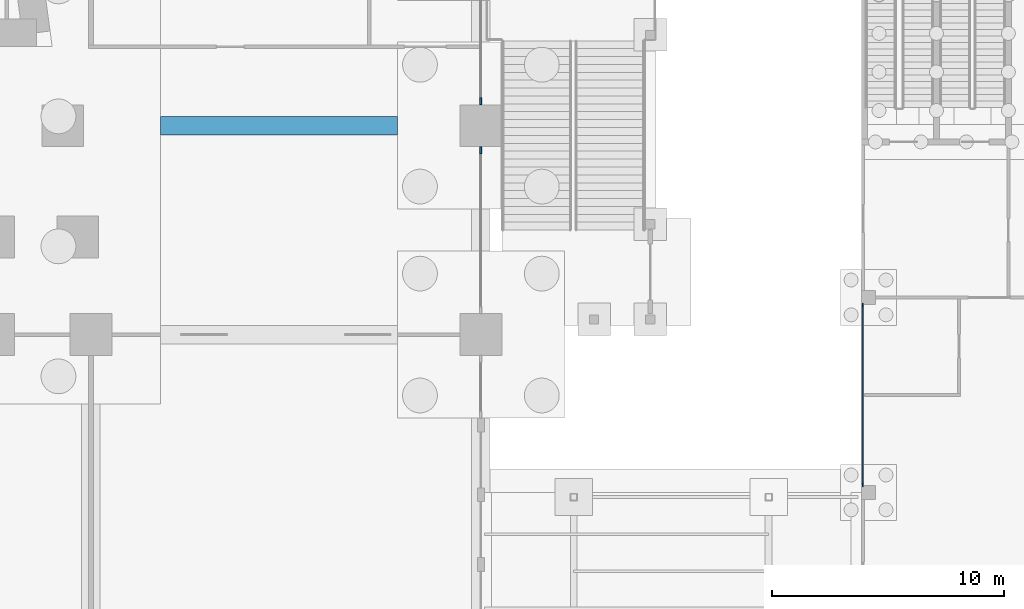
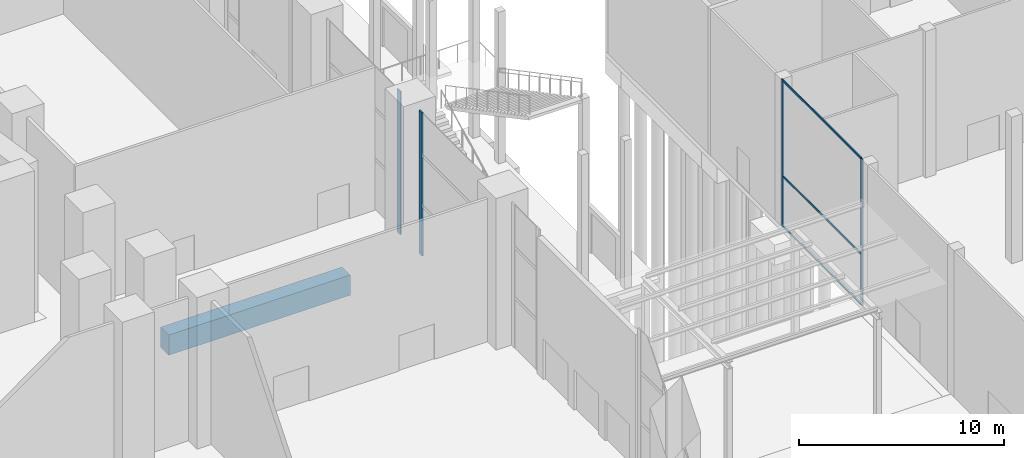
# One storey, part 23 of 72: 7 members, 1 beam, 3 elements without a shape of their own.
"""IFC4 building model written with IfcOpenShell, lengths in metres."""

from ifc_helpers import new_model, si_unit, direction, frame, origin, origin_2d, place, context, subcontext, project, spatial, rectangle, extrude, material, material_profile, profile_set, type_object, element, aggregate, save


model = new_model("IFC4")

# Units and contexts
model_context = context("Model", 3, precision=1e-05, world=origin(), true_north=direction((0.0, 1.0)))
body_context = subcontext(model_context, "Body", "Model", "MODEL_VIEW")
ifc_project = project(units=[si_unit("LENGTHUNIT", "METRE"), si_unit("AREAUNIT", "SQUARE_METRE"), si_unit("VOLUMEUNIT", "CUBIC_METRE"), si_unit("PLANEANGLEUNIT", "RADIAN"), si_unit("MASSUNIT", "GRAM", prefix="KILO")], contexts=[model_context])

# Site, building, storey
site_placement = place(None, origin())
site = spatial("IfcSite", under=ifc_project, at=site_placement, CompositionType="ELEMENT")
building_placement = place(site_placement, origin())
building = spatial("IfcBuilding", under=site, at=building_placement, Name="Candeia Pilgrim Tower and Theatre", CompositionType="ELEMENT")
storey_placement = place(building_placement, origin())
storey = spatial("IfcBuildingStorey", under=building, at=storey_placement, Name="L00", CompositionType="ELEMENT", Elevation=0.0)

# Curtain wall, member
ifc_material_1 = material(Name="Aluminium framed podium glazing", Category="aluminium")
curtain_wall_type_1 = type_object("IfcCurtainWallType", Name="CW-P curtain wall", PredefinedType="NOTDEFINED", material=ifc_material_1)
curtain_wall_1_placement = place(storey_placement, origin())
curtain_wall_1 = element("IfcCurtainWall", 1, at=curtain_wall_1_placement, inside=storey, type_object=curtain_wall_type_1, Name="Curtain wall CW-P L00.230", PredefinedType="NOTDEFINED")
ifc_material_2 = material(Name="Anodised aluminium", Category="aluminium")
ifc_material_profile_1 = material_profile(ifc_material_2, rectangle(XDim=0.080078125, YDim=0.300048828125, at=origin_2d()))
ifc_profile_set_1 = profile_set([ifc_material_profile_1], Name="Anodised aluminium")
member_type_1 = type_object("IfcMemberType", Name="CW-P mullion 80x300", PredefinedType="MULLION", material=ifc_profile_set_1)
member_1_placement = place(storey_placement, frame((159.60009765625, 108.050048828125, 0.0), z_axis=(0.0, 0.0, 1.0), x_axis=(1.0, 0.0, 0.0)))
member_1 = element("IfcMember", 2, at=member_1_placement, type_object=member_type_1, Name="CW-P mullion 2", PredefinedType="MULLION", context=body_context, shape_type="SweptSolid", body=[
    extrude(rectangle(XDim=0.080078125, YDim=0.300048828125, at=origin_2d()), origin(), (0.0, 0.0, 1.0), 8.5),
])
aggregate(curtain_wall_1, [member_1])

curtain_wall_2_placement = place(storey_placement, origin())
curtain_wall_2 = element("IfcCurtainWall", 3, at=curtain_wall_2_placement, inside=storey, type_object=curtain_wall_type_1, Name="Curtain wall CW-P L00.240", PredefinedType="NOTDEFINED")
member_2_placement = place(storey_placement, frame((159.60009765625, 105.949951171875, 0.0), z_axis=(0.0, 0.0, 1.0), x_axis=(1.0, 0.0, 0.0)))
member_2 = element("IfcMember", 4, at=member_2_placement, type_object=member_type_1, Name="CW-P mullion 1", PredefinedType="MULLION", context=body_context, shape_type="SweptSolid", body=[
    extrude(rectangle(XDim=0.080078125, YDim=0.300048828125, at=origin_2d()), origin(), (0.0, 0.0, 1.0), 8.5),
])
aggregate(curtain_wall_2, [member_2])

# Curtain wall, members
ifc_material_3 = material(Name="Aluminium curtain wall system", Category="aluminium")
curtain_wall_type_2 = type_object("IfcCurtainWallType", Name="Curtain wall CW-T", PredefinedType="NOTDEFINED", material=ifc_material_3)
curtain_wall_3_placement = place(storey_placement, origin())
curtain_wall_3 = element("IfcCurtainWall", 5, at=curtain_wall_3_placement, inside=storey, type_object=curtain_wall_type_2, Name="Foyer curtain wall L00 2", PredefinedType="NOTDEFINED")
ifc_material_4 = material(Name="Aluminium 6063-T6", Category="aluminium")
ifc_material_profile_2 = material_profile(ifc_material_4, rectangle(XDim=0.06005859375, YDim=0.179931640625, at=origin_2d()))
ifc_profile_set_2 = profile_set([ifc_material_profile_2], Name="Aluminium 6063-T6")
member_type_2 = type_object("IfcMemberType", Name="Mullion CW-T 60x180", PredefinedType="MULLION", material=ifc_profile_set_2)
member_3_placement = place(storey_placement, frame((176.050048828125, 91.530029296875, 0.0), z_axis=(0.0, 0.0, 1.0), x_axis=(-1.0, 0.0, 0.0)))
member_3 = element("IfcMember", 6, at=member_3_placement, type_object=member_type_2, Name="CW-T mullion 1", PredefinedType="MULLION", context=body_context, shape_type="SweptSolid", body=[
    extrude(rectangle(XDim=0.06005859375, YDim=0.179931640625, at=origin_2d()), origin(), (0.0, 0.0, 1.0), 8.699951171875),
])
member_4_placement = place(storey_placement, frame((176.050048828125, 99.27001953125, 0.0), z_axis=(0.0, 0.0, 1.0), x_axis=(-1.0, 0.0, 0.0)))
member_4 = element("IfcMember", 7, at=member_4_placement, type_object=member_type_2, Name="CW-T mullion 2", PredefinedType="MULLION", context=body_context, shape_type="SweptSolid", body=[
    extrude(rectangle(XDim=0.06005859375, YDim=0.179931640625, at=origin_2d()), origin(), (0.0, 0.0, 1.0), 8.699951171875),
])

# Beam
ifc_material_5 = material(Name="Concrete C40/50", Category="concrete")
ifc_material_profile_3 = material_profile(ifc_material_5, rectangle(XDim=0.800048828125, YDim=1.199951171875, at=origin_2d()))
ifc_profile_set_3 = profile_set([ifc_material_profile_3], Name="Concrete C40/50")
beam_type = type_object("IfcBeamType", Name="RC 800x1200 C40/50", PredefinedType="BEAM", material=ifc_profile_set_3)
beam_placement = place(storey_placement, frame((156.0, 107.0, -0.949951171875), z_axis=(-1.0, 0.0, 0.0), x_axis=(0.0, -1.0, 0.0)))
element("IfcBeam", 8, at=beam_placement, inside=storey, type_object=beam_type, Name="Ground beam 049", PredefinedType="BEAM", context=body_context, shape_type="SweptSolid", body=[
    extrude(rectangle(XDim=0.800048828125, YDim=1.199951171875, at=origin_2d()), origin(), (0.0, 0.0, 1.0), 10.199951171875),
])

# Member
ifc_material_profile_4 = material_profile(ifc_material_4, rectangle(XDim=0.06005859375, YDim=0.1201171875, at=origin_2d()))
ifc_profile_set_4 = profile_set([ifc_material_profile_4], Name="Aluminium 6063-T6")
member_type_3 = type_object("IfcMemberType", Name="Transom CW-T 60x120", PredefinedType="USERDEFINED", material=ifc_profile_set_4)
member_5_placement = place(storey_placement, frame((176.050048828125, 91.56005859375, 0.030029296875), z_axis=(0.0, 1.0, 0.0), x_axis=(-1.0, 0.0, 0.0)))
member_5 = element("IfcMember", 9, at=member_5_placement, type_object=member_type_3, Name="CW-T transom 1.1", ObjectType="TRANSOM", PredefinedType="USERDEFINED", context=body_context, shape_type="SweptSolid", body=[
    extrude(rectangle(XDim=0.06005859375, YDim=0.1201171875, at=origin_2d()), origin(), (0.0, 0.0, 1.0), 7.679931640625),
])

member_6_placement = place(storey_placement, frame((176.050048828125, 91.56005859375, 3.0), z_axis=(0.0, 1.0, 0.0), x_axis=(-1.0, 0.0, 0.0)))
member_6 = element("IfcMember", 10, at=member_6_placement, type_object=member_type_3, Name="CW-T transom 1.2", ObjectType="TRANSOM", PredefinedType="USERDEFINED", context=body_context, shape_type="SweptSolid", body=[
    extrude(rectangle(XDim=0.06005859375, YDim=0.1201171875, at=origin_2d()), origin(), (0.0, 0.0, 1.0), 7.679931640625),
])

member_7_placement = place(storey_placement, frame((176.050048828125, 91.56005859375, 8.669921875), z_axis=(0.0, 1.0, 0.0), x_axis=(-1.0, 0.0, 0.0)))
member_7 = element("IfcMember", 11, at=member_7_placement, type_object=member_type_3, Name="CW-T transom 1.3", ObjectType="TRANSOM", PredefinedType="USERDEFINED", context=body_context, shape_type="SweptSolid", body=[
    extrude(rectangle(XDim=0.06005859375, YDim=0.1201171875, at=origin_2d()), origin(), (0.0, 0.0, 1.0), 7.679931640625),
])

aggregate(curtain_wall_3, [member_3, member_4, member_5, member_6, member_7])

save(model, "model.ifc")
